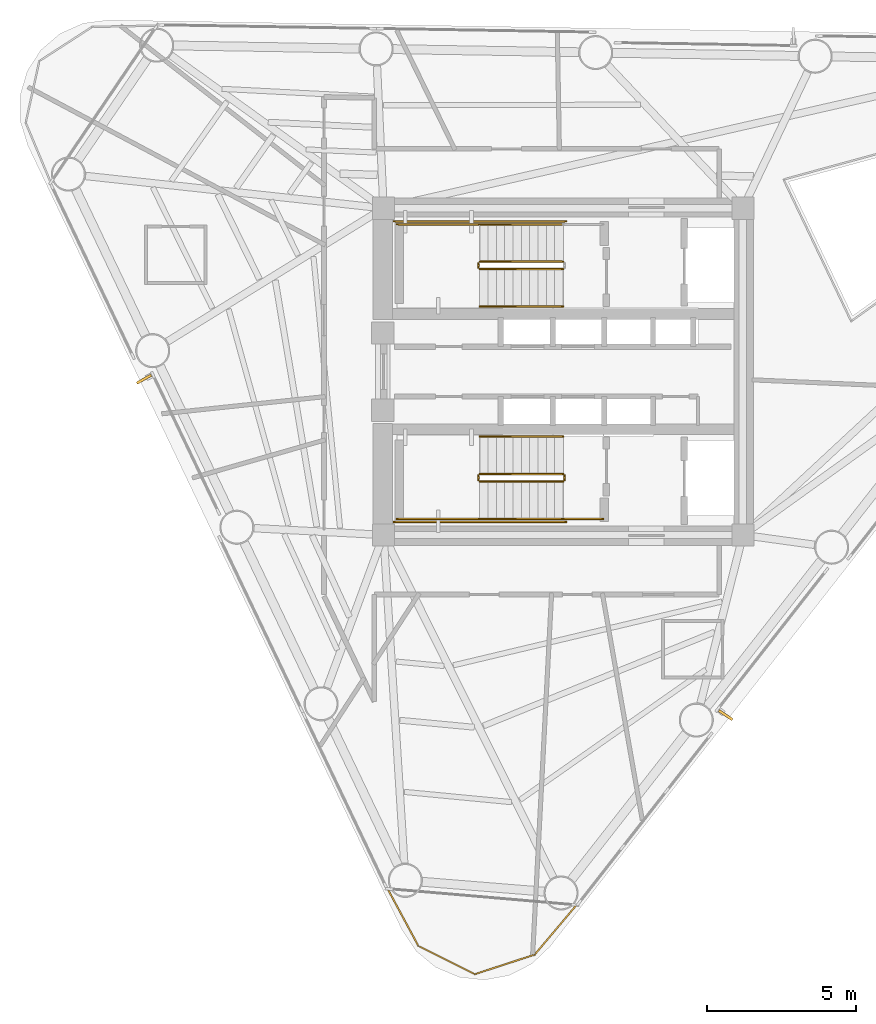
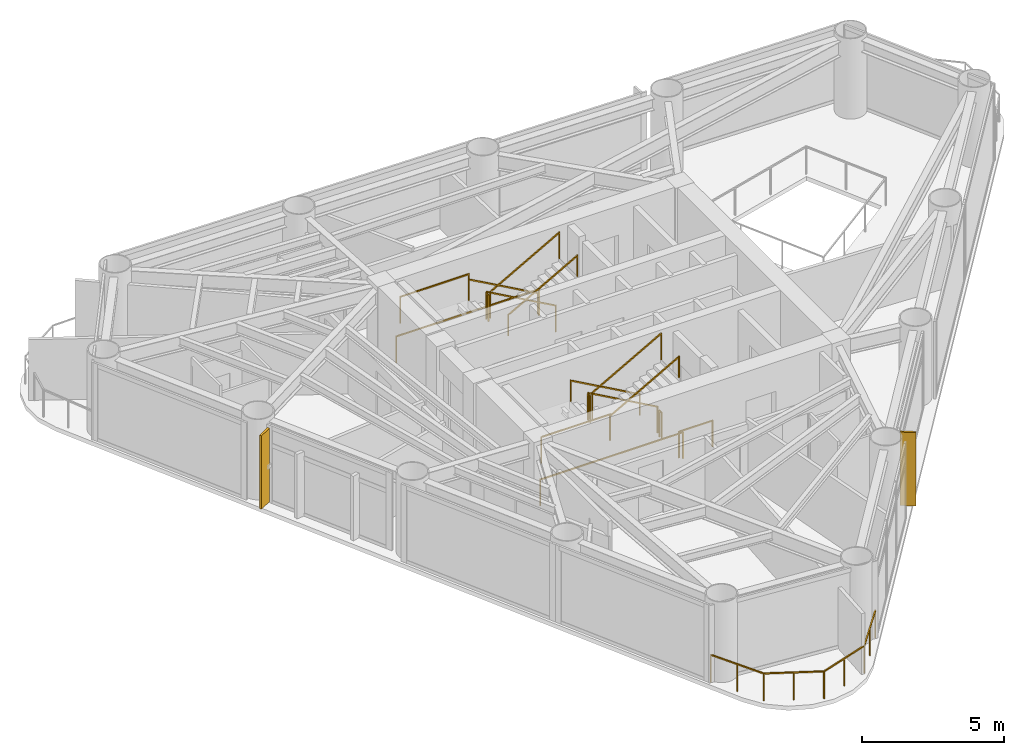
# One storey, part 7 of 9: 17 railings, 2 shading devices.
"""IFC4 building model written with IfcOpenShell, lengths in metres."""

from ifc_helpers import new_model, si_unit, direction, frame, origin, origin_2d, place, context, subcontext, project, spatial, rectangle, extrude, source, transform, mapped, material, material_profile, profile_set, type_object, element, save


model = new_model("IFC4")

# Units and contexts
model_context = context("Model", 3, precision=1e-05, world=origin(), true_north=direction((0.0, 1.0)))
body_context = subcontext(model_context, "Body", "Model", "MODEL_VIEW")
ifc_project = project(units=[si_unit("LENGTHUNIT", "METRE"), si_unit("AREAUNIT", "SQUARE_METRE"), si_unit("VOLUMEUNIT", "CUBIC_METRE"), si_unit("PLANEANGLEUNIT", "RADIAN"), si_unit("MASSUNIT", "GRAM", prefix="KILO")], contexts=[model_context])

# Site, building, storey
site_placement = place(None, origin())
site = spatial("IfcSite", under=ifc_project, at=site_placement, CompositionType="ELEMENT")
building_placement = place(site_placement, origin())
building = spatial("IfcBuilding", under=site, at=building_placement, Name="Yunling Apex Tower", CompositionType="ELEMENT")
storey_placement = place(building_placement, frame((0.0, 0.0, 198.35009765625)))
storey = spatial("IfcBuildingStorey", under=building, at=storey_placement, Name="L48", CompositionType="ELEMENT", Elevation=198.35009765625)

# Railings
ifc_material_1 = material(Name="Bronze anodised aluminium", Category="aluminium")
railing_type_1 = type_object("IfcRailingType", Name="RL-BAL-1200", PredefinedType="BALUSTRADE", material=ifc_material_1)
railing_1_placement = place(storey_placement, frame((0.4462890625, -17.9599609375, 0.0)))
element("IfcRailing", 1, at=railing_1_placement, inside=storey, type_object=railing_type_1, Name="RL-CRNSILL-L48-3", PredefinedType="BALUSTRADE", context=body_context, shape_type="SweptSolid", body=[
    extrude(rectangle(XDim=0.0439453125, YDim=0.0439453125, at=origin_2d()), origin(), (0.0, 0.0, 1.0), 1.199951171875),
    extrude(rectangle(XDim=0.0439453125, YDim=0.0439453125, at=origin_2d()), frame((-1.408447265625, -1.669189453125, 0.0)), (0.0, 0.0, 1.0), 1.199951171875),
    extrude(rectangle(XDim=0.050048828125, YDim=0.050048828125, at=origin_2d()), frame((-0.024658203125, -0.029296875, 1.1748046875), z_axis=(-0.644889304204, -0.764275987666, 0.0), x_axis=(0.764275987666, -0.644889304204, 0.0)), (0.0, 0.0, 1.0), 2.107421875),
    extrude(rectangle(XDim=0.0439453125, YDim=0.0439453125, at=origin_2d()), frame((-0.7041015625, -0.83447265625, 0.0)), (0.0, 0.0, 1.0), 1.14599609375),
    extrude(rectangle(XDim=0.0439453125, YDim=0.0439453125, at=origin_2d()), frame((-3.421875, -2.326416015625, 0.0)), (0.0, 0.0, 1.0), 1.199951171875),
    extrude(rectangle(XDim=0.050048828125, YDim=0.050048828125, at=origin_2d()), frame((-1.44482421875, -1.68115234375, 1.1748046875), z_axis=(-0.950635994022, -0.310308244926, 0.0), x_axis=(0.310308244926, -0.950635994022, 0.0)), (0.0, 0.0, 1.0), 2.041259765625),
    extrude(rectangle(XDim=0.0439453125, YDim=0.0439453125, at=origin_2d()), frame((-2.4150390625, -1.997802734375, 0.0)), (0.0, 0.0, 1.0), 1.14599609375),
    extrude(rectangle(XDim=0.0439453125, YDim=0.0439453125, at=origin_2d()), frame((-5.32275390625, -1.376708984375, 0.0)), (0.0, 0.0, 1.0), 1.199951171875),
    extrude(rectangle(XDim=0.050048828125, YDim=0.050048828125, at=origin_2d()), frame((-3.4560546875, -2.309326171875, 1.1748046875), z_axis=(-0.894565021347, 0.446937828543, 0.0), x_axis=(-0.446937828543, -0.894565021347, 0.0)), (0.0, 0.0, 1.0), 2.04833984375),
    extrude(rectangle(XDim=0.0439453125, YDim=0.0439453125, at=origin_2d()), frame((-4.372314453125, -1.8515625, 0.0)), (0.0, 0.0, 1.0), 1.14599609375),
    extrude(rectangle(XDim=0.0439453125, YDim=0.0439453125, at=origin_2d()), frame((-6.35791015625, 0.545654296875, 0.0)), (0.0, 0.0, 1.0), 1.199951171875),
    extrude(rectangle(XDim=0.050048828125, YDim=0.050048828125, at=origin_2d()), frame((-5.3408203125, -1.343017578125, 1.1748046875), z_axis=(-0.474113159208, 0.880463918775, 0.0), x_axis=(-0.880463918775, -0.474113159208, 0.0)), (0.0, 0.0, 1.0), 2.106689453125),
    extrude(rectangle(XDim=0.0439453125, YDim=0.0439453125, at=origin_2d()), frame((-5.84033203125, -0.41552734375, 0.0)), (0.0, 0.0, 1.0), 1.14599609375),
])
ifc_material_2 = material(Name="Steel Q355B", Category="steel")
railing_type_2 = type_object("IfcRailingType", Name="RL-GRD-1150", PredefinedType="GUARDRAIL", material=ifc_material_2)
railing_2_placement = place(storey_placement, frame((-0.010009765625, 3.699951171875, 0.15673828125)))
element("IfcRailing", 2, at=railing_2_placement, inside=storey, type_object=railing_type_2, Name="L48 ST-1 stair guard 1", PredefinedType="GUARDRAIL", context=body_context, shape_type="SweptSolid", body=[
    extrude(rectangle(XDim=0.0439453125, YDim=0.0439453125, at=origin_2d()), origin(), (0.0, 0.0, 1.0), 1.14990234375),
    extrude(rectangle(XDim=0.0439453125, YDim=0.0439453125, at=origin_2d()), frame((-2.800048828125, 0.0, 1.568115234375)), (0.0, 0.0, 1.0), 1.14990234375),
    extrude(rectangle(XDim=0.050048828125, YDim=0.050048828125, at=origin_2d()), frame((-0.033447265625, 0.0, 1.1435546875), z_axis=(-0.872494340497, 0.0, 0.48862421737), x_axis=(0.0, -1.0, 0.0)), (0.0, 0.0, 1.0), 3.132568359375),
])
railing_3_placement = place(storey_placement, frame((-2.860107421875, 3.64990234375, 1.724853515625)))
element("IfcRailing", 3, at=railing_3_placement, inside=storey, type_object=railing_type_2, Name="L48 ST-1 stair guard 2", PredefinedType="GUARDRAIL", context=body_context, shape_type="SweptSolid", body=[
    extrude(rectangle(XDim=0.0439453125, YDim=0.0439453125, at=origin_2d()), origin(), (0.0, 0.0, 1.0), 1.14990234375),
    extrude(rectangle(XDim=0.0439453125, YDim=0.0439453125, at=origin_2d()), frame((0.0, -0.14990234375, 0.0)), (0.0, 0.0, 1.0), 1.14990234375),
    extrude(rectangle(XDim=0.050048828125, YDim=0.050048828125, at=origin_2d()), frame((0.0, -0.038330078125, 1.125), z_axis=(0.0, -1.0, 0.0), x_axis=(1.0, 0.0, 0.0)), (0.0, 0.0, 1.0), 0.0732421875),
])
railing_4_placement = place(storey_placement, frame((-2.81005859375, 4.9599609375, 1.724853515625)))
element("IfcRailing", 4, at=railing_4_placement, inside=storey, type_object=railing_type_2, Name="L48 ST-1 stair guard 3", PredefinedType="GUARDRAIL", context=body_context, shape_type="SweptSolid", body=[
    extrude(rectangle(XDim=0.0439453125, YDim=0.0439453125, at=origin_2d()), origin(), (0.0, 0.0, 1.0), 1.14990234375),
    extrude(rectangle(XDim=0.0439453125, YDim=0.0439453125, at=origin_2d()), frame((-2.7900390625, 0.0, 0.0)), (0.0, 0.0, 1.0), 1.14990234375),
    extrude(rectangle(XDim=0.050048828125, YDim=0.050048828125, at=origin_2d()), frame((-0.038330078125, 0.0, 1.125), z_axis=(-1.0, 0.0, 0.0), x_axis=(0.0, -1.0, 0.0)), (0.0, 0.0, 1.0), 2.71337890625),
])
railing_5_placement = place(storey_placement, frame((-2.81005859375, 3.449951171875, 1.8818359375)))
element("IfcRailing", 5, at=railing_5_placement, inside=storey, type_object=railing_type_2, Name="L48 ST-1 stair guard 4", PredefinedType="GUARDRAIL", context=body_context, shape_type="SweptSolid", body=[
    extrude(rectangle(XDim=0.0439453125, YDim=0.0439453125, at=origin_2d()), origin(), (0.0, 0.0, 1.0), 1.14990234375),
    extrude(rectangle(XDim=0.0439453125, YDim=0.0439453125, at=origin_2d()), frame((2.800048828125, 0.0, 1.568115234375)), (0.0, 0.0, 1.0), 1.14990234375),
    extrude(rectangle(XDim=0.050048828125, YDim=0.050048828125, at=origin_2d()), frame((0.033447265625, 0.0, 1.1435546875), z_axis=(0.872494340497, 0.0, 0.48862421737), x_axis=(0.0, 1.0, 0.0)), (0.0, 0.0, 1.0), 3.132568359375),
])
railing_6_placement = place(storey_placement, frame((0.090087890625, 5.06005859375, 0.0)))
element("IfcRailing", 6, at=railing_6_placement, inside=storey, type_object=railing_type_2, Name="L48 ST-1 stair guard 7", PredefinedType="GUARDRAIL", context=body_context, shape_type="SweptSolid", body=[
    extrude(rectangle(XDim=0.0439453125, YDim=0.0439453125, at=origin_2d()), origin(), (0.0, 0.0, 1.0), 1.14990234375),
    extrude(rectangle(XDim=0.0439453125, YDim=0.0439453125, at=origin_2d()), frame((-5.7900390625, 0.0, 0.0)), (0.0, 0.0, 1.0), 1.14990234375),
    extrude(rectangle(XDim=0.050048828125, YDim=0.050048828125, at=origin_2d()), frame((-0.038330078125, 0.0, 1.125), z_axis=(-1.0, 0.0, 0.0), x_axis=(0.0, -1.0, 0.0)), (0.0, 0.0, 1.0), 5.71337890625),
])
railing_7_placement = place(storey_placement, frame((-0.010009765625, -3.449951171875, 0.15673828125)))
element("IfcRailing", 7, at=railing_7_placement, inside=storey, type_object=railing_type_2, Name="L48 ST-2 stair guard 1", PredefinedType="GUARDRAIL", context=body_context, shape_type="SweptSolid", body=[
    extrude(rectangle(XDim=0.0439453125, YDim=0.0439453125, at=origin_2d()), origin(), (0.0, 0.0, 1.0), 1.14990234375),
    extrude(rectangle(XDim=0.0439453125, YDim=0.0439453125, at=origin_2d()), frame((-2.800048828125, 0.0, 1.568115234375)), (0.0, 0.0, 1.0), 1.14990234375),
    extrude(rectangle(XDim=0.050048828125, YDim=0.050048828125, at=origin_2d()), frame((-0.033447265625, 0.0, 1.1435546875), z_axis=(-0.872494340497, 0.0, 0.48862421737), x_axis=(0.0, -1.0, 0.0)), (0.0, 0.0, 1.0), 3.132568359375),
])
railing_8_placement = place(storey_placement, frame((-2.860107421875, -3.5, 1.724853515625)))
element("IfcRailing", 8, at=railing_8_placement, inside=storey, type_object=railing_type_2, Name="L48 ST-2 stair guard 2", PredefinedType="GUARDRAIL", context=body_context, shape_type="SweptSolid", body=[
    extrude(rectangle(XDim=0.0439453125, YDim=0.0439453125, at=origin_2d()), origin(), (0.0, 0.0, 1.0), 1.14990234375),
    extrude(rectangle(XDim=0.0439453125, YDim=0.0439453125, at=origin_2d()), frame((0.0, -0.14990234375, 0.0)), (0.0, 0.0, 1.0), 1.14990234375),
    extrude(rectangle(XDim=0.050048828125, YDim=0.050048828125, at=origin_2d()), frame((0.0, -0.038330078125, 1.125), z_axis=(0.0, -1.0, 0.0), x_axis=(1.0, 0.0, 0.0)), (0.0, 0.0, 1.0), 0.0732421875),
])
railing_9_placement = place(storey_placement, frame((-2.81005859375, -4.9599609375, 1.724853515625)))
element("IfcRailing", 9, at=railing_9_placement, inside=storey, type_object=railing_type_2, Name="L48 ST-2 stair guard 3", PredefinedType="GUARDRAIL", context=body_context, shape_type="SweptSolid", body=[
    extrude(rectangle(XDim=0.0439453125, YDim=0.0439453125, at=origin_2d()), origin(), (0.0, 0.0, 1.0), 1.14990234375),
    extrude(rectangle(XDim=0.0439453125, YDim=0.0439453125, at=origin_2d()), frame((-2.7900390625, 0.0, 0.0)), (0.0, 0.0, 1.0), 1.14990234375),
    extrude(rectangle(XDim=0.050048828125, YDim=0.050048828125, at=origin_2d()), frame((-0.038330078125, 0.0, 1.125), z_axis=(-1.0, 0.0, 0.0), x_axis=(0.0, -1.0, 0.0)), (0.0, 0.0, 1.0), 2.71337890625),
])
railing_10_placement = place(storey_placement, frame((-2.81005859375, -3.699951171875, 1.8818359375)))
element("IfcRailing", 10, at=railing_10_placement, inside=storey, type_object=railing_type_2, Name="L48 ST-2 stair guard 4", PredefinedType="GUARDRAIL", context=body_context, shape_type="SweptSolid", body=[
    extrude(rectangle(XDim=0.0439453125, YDim=0.0439453125, at=origin_2d()), origin(), (0.0, 0.0, 1.0), 1.14990234375),
    extrude(rectangle(XDim=0.0439453125, YDim=0.0439453125, at=origin_2d()), frame((2.800048828125, 0.0, 1.568115234375)), (0.0, 0.0, 1.0), 1.14990234375),
    extrude(rectangle(XDim=0.050048828125, YDim=0.050048828125, at=origin_2d()), frame((0.033447265625, 0.0, 1.1435546875), z_axis=(0.872494340497, 0.0, 0.48862421737), x_axis=(0.0, 1.0, 0.0)), (0.0, 0.0, 1.0), 3.132568359375),
])
railing_11_placement = place(storey_placement, frame((0.0400390625, -3.5, 0.0)))
element("IfcRailing", 11, at=railing_11_placement, inside=storey, type_object=railing_type_2, Name="L48 ST-2 stair guard 5", PredefinedType="GUARDRAIL", context=body_context, shape_type="SweptSolid", body=[
    extrude(rectangle(XDim=0.0439453125, YDim=0.0439453125, at=origin_2d()), origin(), (0.0, 0.0, 1.0), 1.14990234375),
    extrude(rectangle(XDim=0.0439453125, YDim=0.0439453125, at=origin_2d()), frame((0.0, -0.14990234375, 0.0)), (0.0, 0.0, 1.0), 1.14990234375),
    extrude(rectangle(XDim=0.050048828125, YDim=0.050048828125, at=origin_2d()), frame((0.0, -0.038330078125, 1.125), z_axis=(0.0, -1.0, 0.0), x_axis=(1.0, 0.0, 0.0)), (0.0, 0.0, 1.0), 0.0732421875),
])
railing_12_placement = place(storey_placement, frame((1.35009765625, -4.9599609375, 0.0)))
element("IfcRailing", 12, at=railing_12_placement, inside=storey, type_object=railing_type_2, Name="L48 ST-2 stair guard 6", PredefinedType="GUARDRAIL", context=body_context, shape_type="SweptSolid", body=[
    extrude(rectangle(XDim=0.0439453125, YDim=0.0439453125, at=origin_2d()), origin(), (0.0, 0.0, 1.0), 1.14990234375),
    extrude(rectangle(XDim=0.0439453125, YDim=0.0439453125, at=origin_2d()), frame((-1.360107421875, 0.0, 0.0)), (0.0, 0.0, 1.0), 1.14990234375),
    extrude(rectangle(XDim=0.050048828125, YDim=0.050048828125, at=origin_2d()), frame((-0.038330078125, 0.0, 1.125), z_axis=(-1.0, 0.0, 0.0), x_axis=(0.0, -1.0, 0.0)), (0.0, 0.0, 1.0), 1.283447265625),
])
railing_13_placement = place(storey_placement, frame((0.090087890625, -5.06005859375, 0.0)))
element("IfcRailing", 13, at=railing_13_placement, inside=storey, type_object=railing_type_2, Name="L48 ST-2 stair guard 7", PredefinedType="GUARDRAIL", context=body_context, shape_type="SweptSolid", body=[
    extrude(rectangle(XDim=0.0439453125, YDim=0.0439453125, at=origin_2d()), origin(), (0.0, 0.0, 1.0), 1.14990234375),
    extrude(rectangle(XDim=0.0439453125, YDim=0.0439453125, at=origin_2d()), frame((-5.7900390625, 0.0, 0.0)), (0.0, 0.0, 1.0), 1.14990234375),
    extrude(rectangle(XDim=0.050048828125, YDim=0.050048828125, at=origin_2d()), frame((-0.038330078125, 0.0, 1.125), z_axis=(-1.0, 0.0, 0.0), x_axis=(0.0, -1.0, 0.0)), (0.0, 0.0, 1.0), 5.71337890625),
])
ifc_material_3 = material(Name="Silver anodised aluminium", Category="aluminium")
railing_type_3 = type_object("IfcRailingType", Name="RL-HND-900", PredefinedType="HANDRAIL", material=ifc_material_3)
railing_14_placement = place(storey_placement, frame((-0.010009765625, 4.9599609375, 0.15673828125)))
element("IfcRailing", 14, at=railing_14_placement, inside=storey, type_object=railing_type_3, Name="L48 ST-1 stair handrail 1", PredefinedType="HANDRAIL", context=body_context, shape_type="SweptSolid", body=[
    extrude(rectangle(XDim=0.0439453125, YDim=0.0439453125, at=origin_2d()), origin(), (0.0, 0.0, 1.0), 0.919921875),
    extrude(rectangle(XDim=0.0439453125, YDim=0.0439453125, at=origin_2d()), frame((-2.800048828125, 0.0, 1.568115234375)), (0.0, 0.0, 1.0), 0.919921875),
    extrude(rectangle(XDim=0.050048828125, YDim=0.050048828125, at=origin_2d()), frame((-0.033447265625, 0.0, 0.91357421875), z_axis=(-0.872494340497, 0.0, 0.48862421737), x_axis=(0.0, -1.0, 0.0)), (0.0, 0.0, 1.0), 3.132568359375),
])
railing_15_placement = place(storey_placement, frame((-2.81005859375, 2.18994140625, 1.8818359375)))
element("IfcRailing", 15, at=railing_15_placement, inside=storey, type_object=railing_type_3, Name="L48 ST-1 stair handrail 2", PredefinedType="HANDRAIL", context=body_context, shape_type="SweptSolid", body=[
    extrude(rectangle(XDim=0.0439453125, YDim=0.0439453125, at=origin_2d()), origin(), (0.0, 0.0, 1.0), 0.919921875),
    extrude(rectangle(XDim=0.0439453125, YDim=0.0439453125, at=origin_2d()), frame((2.800048828125, 0.0, 1.568115234375)), (0.0, 0.0, 1.0), 0.919921875),
    extrude(rectangle(XDim=0.050048828125, YDim=0.050048828125, at=origin_2d()), frame((0.033447265625, 0.0, 0.91357421875), z_axis=(0.872494340497, 0.0, 0.48862421737), x_axis=(0.0, 1.0, 0.0)), (0.0, 0.0, 1.0), 3.132568359375),
])
railing_16_placement = place(storey_placement, frame((-0.010009765625, -2.18994140625, 0.15673828125)))
element("IfcRailing", 16, at=railing_16_placement, inside=storey, type_object=railing_type_3, Name="L48 ST-2 stair handrail 1", PredefinedType="HANDRAIL", context=body_context, shape_type="SweptSolid", body=[
    extrude(rectangle(XDim=0.0439453125, YDim=0.0439453125, at=origin_2d()), origin(), (0.0, 0.0, 1.0), 0.919921875),
    extrude(rectangle(XDim=0.0439453125, YDim=0.0439453125, at=origin_2d()), frame((-2.800048828125, 0.0, 1.568115234375)), (0.0, 0.0, 1.0), 0.919921875),
    extrude(rectangle(XDim=0.050048828125, YDim=0.050048828125, at=origin_2d()), frame((-0.033447265625, 0.0, 0.91357421875), z_axis=(-0.872494340497, 0.0, 0.48862421737), x_axis=(0.0, -1.0, 0.0)), (0.0, 0.0, 1.0), 3.132568359375),
])
railing_17_placement = place(storey_placement, frame((-2.81005859375, -4.9599609375, 1.8818359375)))
element("IfcRailing", 17, at=railing_17_placement, inside=storey, type_object=railing_type_3, Name="L48 ST-2 stair handrail 2", PredefinedType="HANDRAIL", context=body_context, shape_type="SweptSolid", body=[
    extrude(rectangle(XDim=0.0439453125, YDim=0.0439453125, at=origin_2d()), origin(), (0.0, 0.0, 1.0), 0.919921875),
    extrude(rectangle(XDim=0.0439453125, YDim=0.0439453125, at=origin_2d()), frame((2.800048828125, 0.0, 1.568115234375)), (0.0, 0.0, 1.0), 0.919921875),
    extrude(rectangle(XDim=0.050048828125, YDim=0.050048828125, at=origin_2d()), frame((0.033447265625, 0.0, 0.91357421875), z_axis=(0.872494340497, 0.0, 0.48862421737), x_axis=(0.0, 1.0, 0.0)), (0.0, 0.0, 1.0), 3.132568359375),
])

# Shading devices
ifc_material_profile = material_profile(ifc_material_1, rectangle(XDim=0.0849609375, YDim=0.550048828125, at=origin_2d()))
ifc_profile_set = profile_set([ifc_material_profile], Name="Bronze anodised aluminium")
shading_device_type = type_object("IfcShadingDeviceType", Name="FN-BRZ-3", PredefinedType="USERDEFINED", material=ifc_profile_set)
shared_shape = source(origin(), body_context, "Body", "SweptSolid", [
    extrude(rectangle(XDim=0.0849609375, YDim=0.550048828125, at=origin_2d()), origin(), (0.0, 0.0, 1.0), 3.14990234375),
])
for number, where, z_axis, x_axis, name in (
    (18, (5.468505859375, -11.565185546875, 0.06005859375), (0.0, 0.0, 1.0), (0.563381859003, 0.826196635763, 0.0), "CW-L48-F1-B2-FIN-01"),
    (19, (-14.113037109375, -0.254150390625, 0.06005859375), (0.0, 0.0, 1.0), (0.488621241497, -0.872496007073, 0.0), "CW-L48-F3-B2-FIN-01"),
):
    element("IfcShadingDevice", number, at=place(storey_placement, frame(where, z_axis=z_axis, x_axis=x_axis)), inside=storey, type_object=shading_device_type, Name=name, ObjectType="FIN", PredefinedType="USERDEFINED", context=body_context, shape_type="MappedRepresentation", body=[
        mapped(shared_shape, transform((0.0, 0.0, 0.0), scale=1.0)),
    ])

save(model, "model.ifc")
